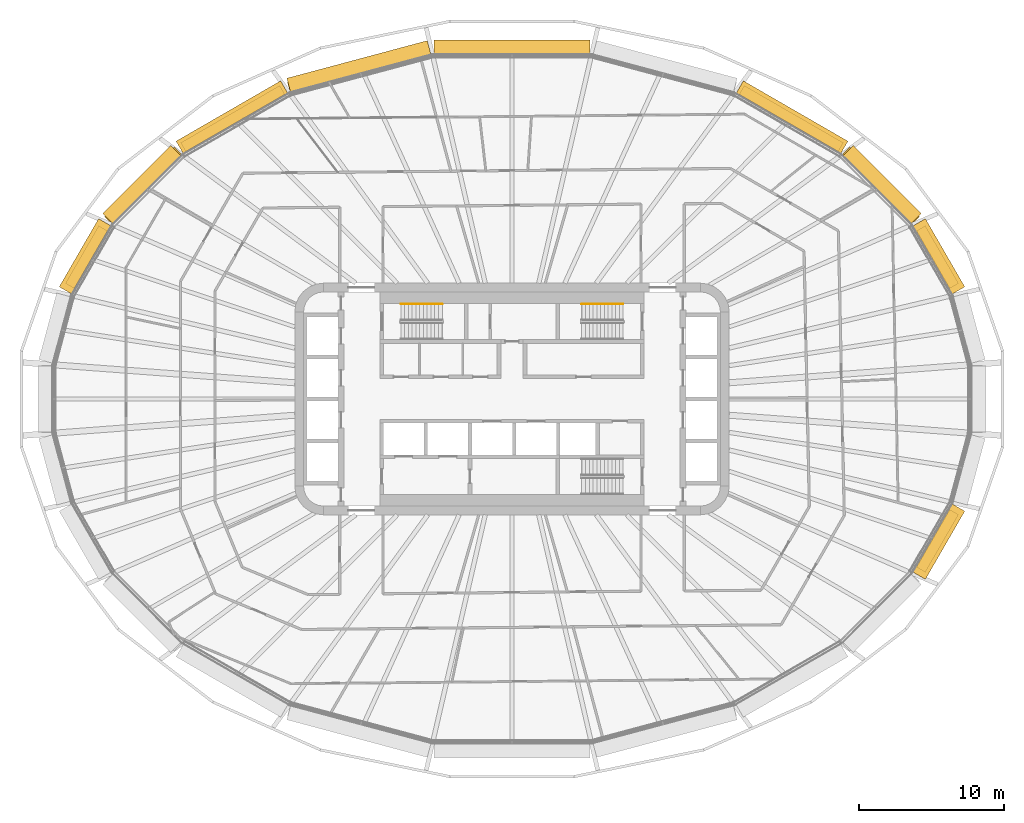
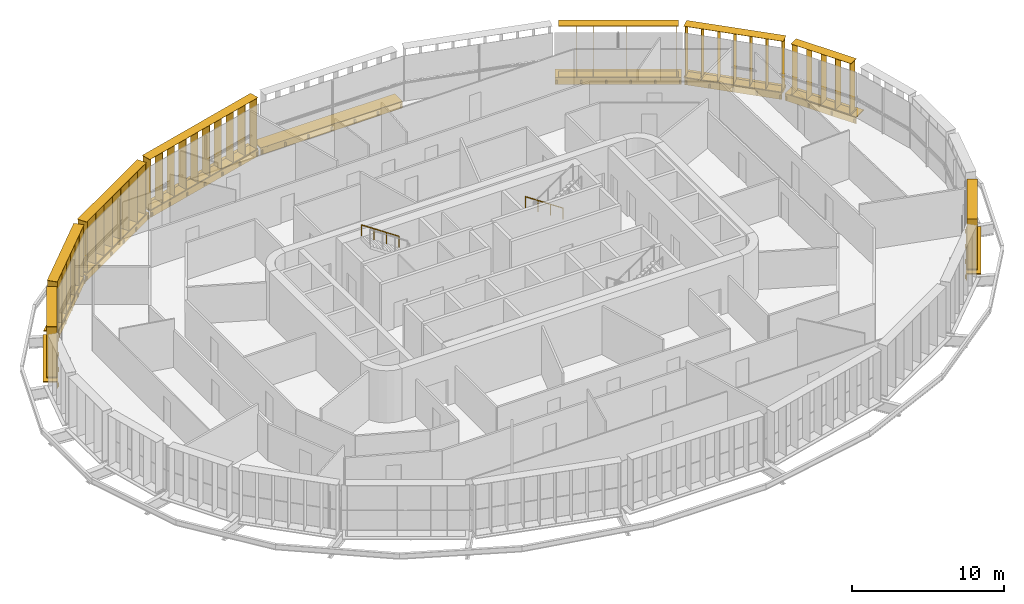
# One storey, part 25 of 26: 17 shading devices, 2 railings.
"""IFC4 building model written with IfcOpenShell, lengths in metres."""

from ifc_helpers import new_model, si_unit, direction, frame, origin, origin_2d, place, context, subcontext, project, spatial, rectangle, circle, extrude, material, type_object, element, save


model = new_model("IFC4")

# Units and contexts
model_context = context("Model", 3, precision=1e-05, world=origin(), true_north=direction((0.0, 1.0)))
body_context = subcontext(model_context, "Body", "Model", "MODEL_VIEW")
ifc_project = project(units=[si_unit("LENGTHUNIT", "METRE"), si_unit("AREAUNIT", "SQUARE_METRE"), si_unit("VOLUMEUNIT", "CUBIC_METRE"), si_unit("PLANEANGLEUNIT", "RADIAN"), si_unit("MASSUNIT", "GRAM", prefix="KILO")], contexts=[model_context])

# Site, building, storey
site_placement = place(None, origin())
site = spatial("IfcSite", under=ifc_project, at=site_placement, CompositionType="ELEMENT")
building_placement = place(site_placement, origin())
building = spatial("IfcBuilding", under=site, at=building_placement, Name="Sahrelin Media Tower", CompositionType="ELEMENT")
storey_placement = place(building_placement, frame((0.0, 0.0, 88.199951171875)))
storey = spatial("IfcBuildingStorey", under=building, at=storey_placement, Name="L16", CompositionType="ELEMENT", Elevation=88.199951171875)

# Shading devices
ifc_material_1 = material(Name="Champagne anodised aluminium 6063-T6", Category="aluminium")
shading_device_type_1 = type_object("IfcShadingDeviceType", Name="Fin cassette", PredefinedType="USERDEFINED", material=ifc_material_1)
placement_1 = place(storey_placement, frame((29.021484375, 9.58837890625, 0.0), z_axis=(0.0, 0.0, 1.0), x_axis=(0.500011000363, -0.866019052629, 0.0)))
element("IfcShadingDevice", 1, at=placement_1, inside=storey, type_object=shading_device_type_1, Name="L16:FIN:L16-02", ObjectType="FIN", PredefinedType="USERDEFINED", context=body_context, shape_type="SweptSolid", body=[
    extrude(rectangle(XDim=4.60009765625, YDim=0.699951171875, at=origin_2d()), frame((0.0, 0.419921875, 0.0)), (0.0, 0.0, 1.0), 0.02001953125),
    extrude(rectangle(XDim=4.60009765625, YDim=0.699951171875, at=origin_2d()), frame((0.0, 0.419921875, 4.10009765625)), (0.0, 0.0, 1.0), 0.02001953125),
    extrude(rectangle(XDim=0.02001953125, YDim=0.699951171875, at=origin_2d()), frame((-2.199951171875, 0.419921875, 0.010009765625), z_axis=(0.0, 0.0, 1.0), x_axis=(1.0, 0.0, 0.0)), (0.0, 0.0, 1.0), 4.10009765625),
    extrude(rectangle(XDim=0.02001953125, YDim=0.699951171875, at=origin_2d()), frame((-1.10009765625, 0.419921875, 0.010009765625), z_axis=(0.0, 0.0, 1.0), x_axis=(1.0, 0.0, 0.0)), (0.0, 0.0, 1.0), 4.10009765625),
    extrude(rectangle(XDim=0.02001953125, YDim=0.699951171875, at=origin_2d()), frame((0.0, 0.419921875, 0.010009765625), z_axis=(0.0, 0.0, 1.0), x_axis=(1.0, 0.0, 0.0)), (0.0, 0.0, 1.0), 4.10009765625),
    extrude(rectangle(XDim=0.02001953125, YDim=0.699951171875, at=origin_2d()), frame((1.10009765625, 0.419921875, 0.010009765625), z_axis=(0.0, 0.0, 1.0), x_axis=(1.0, 0.0, 0.0)), (0.0, 0.0, 1.0), 4.10009765625),
    extrude(rectangle(XDim=0.02001953125, YDim=0.699951171875, at=origin_2d()), frame((2.199951171875, 0.419921875, 0.010009765625), z_axis=(0.0, 0.0, 1.0), x_axis=(1.0, 0.0, 0.0)), (0.0, 0.0, 1.0), 4.10009765625),
])
placement_2 = place(storey_placement, frame((25.192138671875, 14.448486328125, 0.0), z_axis=(0.0, 0.0, 1.0), x_axis=(0.707106781187, -0.707106781187, 0.0)))
element("IfcShadingDevice", 2, at=placement_2, inside=storey, type_object=shading_device_type_1, Name="L16:FIN:L16-03", ObjectType="FIN", PredefinedType="USERDEFINED", context=body_context, shape_type="SweptSolid", body=[
    extrude(rectangle(XDim=6.800048828125, YDim=0.699951171875, at=origin_2d()), frame((0.0, 0.419921875, 0.0)), (0.0, 0.0, 1.0), 0.02001953125),
    extrude(rectangle(XDim=6.800048828125, YDim=0.699951171875, at=origin_2d()), frame((0.0, 0.419921875, 4.10009765625)), (0.0, 0.0, 1.0), 0.02001953125),
    extrude(rectangle(XDim=0.02001953125, YDim=0.699951171875, at=origin_2d()), frame((-3.300048828125, 0.419921875, 0.010009765625), z_axis=(0.0, 0.0, 1.0), x_axis=(1.0, 0.0, 0.0)), (0.0, 0.0, 1.0), 4.10009765625),
    extrude(rectangle(XDim=0.02001953125, YDim=0.699951171875, at=origin_2d()), frame((-2.199951171875, 0.419921875, 0.010009765625), z_axis=(0.0, 0.0, 1.0), x_axis=(1.0, 0.0, 0.0)), (0.0, 0.0, 1.0), 4.10009765625),
    extrude(rectangle(XDim=0.02001953125, YDim=0.699951171875, at=origin_2d()), frame((-1.10009765625, 0.419921875, 0.010009765625), z_axis=(0.0, 0.0, 1.0), x_axis=(1.0, 0.0, 0.0)), (0.0, 0.0, 1.0), 4.10009765625),
    extrude(rectangle(XDim=0.02001953125, YDim=0.699951171875, at=origin_2d()), frame((0.0, 0.419921875, 0.010009765625), z_axis=(0.0, 0.0, 1.0), x_axis=(1.0, 0.0, 0.0)), (0.0, 0.0, 1.0), 4.10009765625),
    extrude(rectangle(XDim=0.02001953125, YDim=0.699951171875, at=origin_2d()), frame((1.10009765625, 0.419921875, 0.010009765625), z_axis=(0.0, 0.0, 1.0), x_axis=(1.0, 0.0, 0.0)), (0.0, 0.0, 1.0), 4.10009765625),
    extrude(rectangle(XDim=0.02001953125, YDim=0.699951171875, at=origin_2d()), frame((2.199951171875, 0.419921875, 0.010009765625), z_axis=(0.0, 0.0, 1.0), x_axis=(1.0, 0.0, 0.0)), (0.0, 0.0, 1.0), 4.10009765625),
    extrude(rectangle(XDim=0.02001953125, YDim=0.699951171875, at=origin_2d()), frame((3.300048828125, 0.419921875, 0.010009765625), z_axis=(0.0, 0.0, 1.0), x_axis=(1.0, 0.0, 0.0)), (0.0, 0.0, 1.0), 4.10009765625),
])
placement_3 = place(storey_placement, frame((19.074951171875, 19.003662109375, 0.0), z_axis=(0.0, 0.0, 1.0), x_axis=(0.866019052629, -0.500011000363, 0.0)))
element("IfcShadingDevice", 3, at=placement_3, inside=storey, type_object=shading_device_type_1, Name="L16:FIN:L16-04", ObjectType="FIN", PredefinedType="USERDEFINED", context=body_context, shape_type="SweptSolid", body=[
    extrude(rectangle(XDim=7.89990234375, YDim=0.699951171875, at=origin_2d()), frame((0.0, 0.419921875, 0.0)), (0.0, 0.0, 1.0), 0.02001953125),
    extrude(rectangle(XDim=7.89990234375, YDim=0.699951171875, at=origin_2d()), frame((0.0, 0.419921875, 4.10009765625)), (0.0, 0.0, 1.0), 0.02001953125),
    extrude(rectangle(XDim=0.02001953125, YDim=0.699951171875, at=origin_2d()), frame((-3.85009765625, 0.419921875, 0.010009765625), z_axis=(0.0, 0.0, 1.0), x_axis=(1.0, 0.0, 0.0)), (0.0, 0.0, 1.0), 4.10009765625),
    extrude(rectangle(XDim=0.02001953125, YDim=0.699951171875, at=origin_2d()), frame((-2.75, 0.419921875, 0.010009765625), z_axis=(0.0, 0.0, 1.0), x_axis=(1.0, 0.0, 0.0)), (0.0, 0.0, 1.0), 4.10009765625),
    extrude(rectangle(XDim=0.02001953125, YDim=0.699951171875, at=origin_2d()), frame((-1.64990234375, 0.419921875, 0.010009765625), z_axis=(0.0, 0.0, 1.0), x_axis=(1.0, 0.0, 0.0)), (0.0, 0.0, 1.0), 4.10009765625),
    extrude(rectangle(XDim=0.02001953125, YDim=0.699951171875, at=origin_2d()), frame((-0.550048828125, 0.419921875, 0.010009765625), z_axis=(0.0, 0.0, 1.0), x_axis=(1.0, 0.0, 0.0)), (0.0, 0.0, 1.0), 4.10009765625),
    extrude(rectangle(XDim=0.02001953125, YDim=0.699951171875, at=origin_2d()), frame((0.550048828125, 0.419921875, 0.010009765625), z_axis=(0.0, 0.0, 1.0), x_axis=(1.0, 0.0, 0.0)), (0.0, 0.0, 1.0), 4.10009765625),
    extrude(rectangle(XDim=0.02001953125, YDim=0.699951171875, at=origin_2d()), frame((1.64990234375, 0.419921875, 0.010009765625), z_axis=(0.0, 0.0, 1.0), x_axis=(1.0, 0.0, 0.0)), (0.0, 0.0, 1.0), 4.10009765625),
    extrude(rectangle(XDim=0.02001953125, YDim=0.699951171875, at=origin_2d()), frame((2.75, 0.419921875, 0.010009765625), z_axis=(0.0, 0.0, 1.0), x_axis=(1.0, 0.0, 0.0)), (0.0, 0.0, 1.0), 4.10009765625),
    extrude(rectangle(XDim=0.02001953125, YDim=0.699951171875, at=origin_2d()), frame((3.85009765625, 0.419921875, 0.010009765625), z_axis=(0.0, 0.0, 1.0), x_axis=(1.0, 0.0, 0.0)), (0.0, 0.0, 1.0), 4.10009765625),
])
placement_4 = place(storey_placement, frame((-10.436279296875, 22.462158203125, 0.0), z_axis=(0.0, 0.0, 1.0), x_axis=(0.965928857556, 0.258807731996, 0.0)))
element("IfcShadingDevice", 4, at=placement_4, inside=storey, type_object=shading_device_type_1, Name="L16:FIN:L16-07", ObjectType="FIN", PredefinedType="USERDEFINED", context=body_context, shape_type="SweptSolid", body=[
    extrude(rectangle(XDim=10.10009765625, YDim=0.699951171875, at=origin_2d()), frame((0.0, 0.419921875, 0.0)), (0.0, 0.0, 1.0), 0.02001953125),
    extrude(rectangle(XDim=10.10009765625, YDim=0.699951171875, at=origin_2d()), frame((0.0, 0.419921875, 4.10009765625)), (0.0, 0.0, 1.0), 0.02001953125),
    extrude(rectangle(XDim=0.02001953125, YDim=0.699951171875, at=origin_2d()), frame((-4.949951171875, 0.419921875, 0.010009765625), z_axis=(0.0, 0.0, 1.0), x_axis=(1.0, 0.0, 0.0)), (0.0, 0.0, 1.0), 4.10009765625),
    extrude(rectangle(XDim=0.02001953125, YDim=0.699951171875, at=origin_2d()), frame((-3.85009765625, 0.419921875, 0.010009765625), z_axis=(0.0, 0.0, 1.0), x_axis=(1.0, 0.0, 0.0)), (0.0, 0.0, 1.0), 4.10009765625),
    extrude(rectangle(XDim=0.02001953125, YDim=0.699951171875, at=origin_2d()), frame((-2.75, 0.419921875, 0.010009765625), z_axis=(0.0, 0.0, 1.0), x_axis=(1.0, 0.0, 0.0)), (0.0, 0.0, 1.0), 4.10009765625),
    extrude(rectangle(XDim=0.02001953125, YDim=0.699951171875, at=origin_2d()), frame((-1.64990234375, 0.419921875, 0.010009765625), z_axis=(0.0, 0.0, 1.0), x_axis=(1.0, 0.0, 0.0)), (0.0, 0.0, 1.0), 4.10009765625),
    extrude(rectangle(XDim=0.02001953125, YDim=0.699951171875, at=origin_2d()), frame((-0.550048828125, 0.419921875, 0.010009765625), z_axis=(0.0, 0.0, 1.0), x_axis=(1.0, 0.0, 0.0)), (0.0, 0.0, 1.0), 4.10009765625),
    extrude(rectangle(XDim=0.02001953125, YDim=0.699951171875, at=origin_2d()), frame((0.550048828125, 0.419921875, 0.010009765625), z_axis=(0.0, 0.0, 1.0), x_axis=(1.0, 0.0, 0.0)), (0.0, 0.0, 1.0), 4.10009765625),
    extrude(rectangle(XDim=0.02001953125, YDim=0.699951171875, at=origin_2d()), frame((1.64990234375, 0.419921875, 0.010009765625), z_axis=(0.0, 0.0, 1.0), x_axis=(1.0, 0.0, 0.0)), (0.0, 0.0, 1.0), 4.10009765625),
    extrude(rectangle(XDim=0.02001953125, YDim=0.699951171875, at=origin_2d()), frame((2.75, 0.419921875, 0.010009765625), z_axis=(0.0, 0.0, 1.0), x_axis=(1.0, 0.0, 0.0)), (0.0, 0.0, 1.0), 4.10009765625),
    extrude(rectangle(XDim=0.02001953125, YDim=0.699951171875, at=origin_2d()), frame((3.85009765625, 0.419921875, 0.010009765625), z_axis=(0.0, 0.0, 1.0), x_axis=(1.0, 0.0, 0.0)), (0.0, 0.0, 1.0), 4.10009765625),
    extrude(rectangle(XDim=0.02001953125, YDim=0.699951171875, at=origin_2d()), frame((4.949951171875, 0.419921875, 0.010009765625), z_axis=(0.0, 0.0, 1.0), x_axis=(1.0, 0.0, 0.0)), (0.0, 0.0, 1.0), 4.10009765625),
])
placement_5 = place(storey_placement, frame((-19.074951171875, 19.003662109375, 0.0), z_axis=(0.0, 0.0, 1.0), x_axis=(0.866019052629, 0.500011000363, 0.0)))
element("IfcShadingDevice", 5, at=placement_5, inside=storey, type_object=shading_device_type_1, Name="L16:FIN:L16-08", ObjectType="FIN", PredefinedType="USERDEFINED", context=body_context, shape_type="SweptSolid", body=[
    extrude(rectangle(XDim=7.89990234375, YDim=0.699951171875, at=origin_2d()), frame((0.0, 0.419921875, 0.0)), (0.0, 0.0, 1.0), 0.02001953125),
    extrude(rectangle(XDim=7.89990234375, YDim=0.699951171875, at=origin_2d()), frame((0.0, 0.419921875, 4.10009765625)), (0.0, 0.0, 1.0), 0.02001953125),
    extrude(rectangle(XDim=0.02001953125, YDim=0.699951171875, at=origin_2d()), frame((-3.85009765625, 0.419921875, 0.010009765625), z_axis=(0.0, 0.0, 1.0), x_axis=(1.0, 0.0, 0.0)), (0.0, 0.0, 1.0), 4.10009765625),
    extrude(rectangle(XDim=0.02001953125, YDim=0.699951171875, at=origin_2d()), frame((-2.75, 0.419921875, 0.010009765625), z_axis=(0.0, 0.0, 1.0), x_axis=(1.0, 0.0, 0.0)), (0.0, 0.0, 1.0), 4.10009765625),
    extrude(rectangle(XDim=0.02001953125, YDim=0.699951171875, at=origin_2d()), frame((-1.64990234375, 0.419921875, 0.010009765625), z_axis=(0.0, 0.0, 1.0), x_axis=(1.0, 0.0, 0.0)), (0.0, 0.0, 1.0), 4.10009765625),
    extrude(rectangle(XDim=0.02001953125, YDim=0.699951171875, at=origin_2d()), frame((-0.550048828125, 0.419921875, 0.010009765625), z_axis=(0.0, 0.0, 1.0), x_axis=(1.0, 0.0, 0.0)), (0.0, 0.0, 1.0), 4.10009765625),
    extrude(rectangle(XDim=0.02001953125, YDim=0.699951171875, at=origin_2d()), frame((0.550048828125, 0.419921875, 0.010009765625), z_axis=(0.0, 0.0, 1.0), x_axis=(1.0, 0.0, 0.0)), (0.0, 0.0, 1.0), 4.10009765625),
    extrude(rectangle(XDim=0.02001953125, YDim=0.699951171875, at=origin_2d()), frame((1.64990234375, 0.419921875, 0.010009765625), z_axis=(0.0, 0.0, 1.0), x_axis=(1.0, 0.0, 0.0)), (0.0, 0.0, 1.0), 4.10009765625),
    extrude(rectangle(XDim=0.02001953125, YDim=0.699951171875, at=origin_2d()), frame((2.75, 0.419921875, 0.010009765625), z_axis=(0.0, 0.0, 1.0), x_axis=(1.0, 0.0, 0.0)), (0.0, 0.0, 1.0), 4.10009765625),
    extrude(rectangle(XDim=0.02001953125, YDim=0.699951171875, at=origin_2d()), frame((3.85009765625, 0.419921875, 0.010009765625), z_axis=(0.0, 0.0, 1.0), x_axis=(1.0, 0.0, 0.0)), (0.0, 0.0, 1.0), 4.10009765625),
])
placement_6 = place(storey_placement, frame((-25.192138671875, 14.44873046875, 0.0), z_axis=(0.0, 0.0, 1.0), x_axis=(0.707106781187, 0.707106781187, 0.0)))
element("IfcShadingDevice", 6, at=placement_6, inside=storey, type_object=shading_device_type_1, Name="L16:FIN:L16-09", ObjectType="FIN", PredefinedType="USERDEFINED", context=body_context, shape_type="SweptSolid", body=[
    extrude(rectangle(XDim=6.800048828125, YDim=0.699951171875, at=origin_2d()), frame((0.0, 0.419921875, 0.0)), (0.0, 0.0, 1.0), 0.02001953125),
    extrude(rectangle(XDim=6.800048828125, YDim=0.699951171875, at=origin_2d()), frame((0.0, 0.419921875, 4.10009765625)), (0.0, 0.0, 1.0), 0.02001953125),
    extrude(rectangle(XDim=0.02001953125, YDim=0.699951171875, at=origin_2d()), frame((-3.300048828125, 0.419921875, 0.010009765625), z_axis=(0.0, 0.0, 1.0), x_axis=(1.0, 0.0, 0.0)), (0.0, 0.0, 1.0), 4.10009765625),
    extrude(rectangle(XDim=0.02001953125, YDim=0.699951171875, at=origin_2d()), frame((-2.199951171875, 0.419921875, 0.010009765625), z_axis=(0.0, 0.0, 1.0), x_axis=(1.0, 0.0, 0.0)), (0.0, 0.0, 1.0), 4.10009765625),
    extrude(rectangle(XDim=0.02001953125, YDim=0.699951171875, at=origin_2d()), frame((-1.10009765625, 0.419921875, 0.010009765625), z_axis=(0.0, 0.0, 1.0), x_axis=(1.0, 0.0, 0.0)), (0.0, 0.0, 1.0), 4.10009765625),
    extrude(rectangle(XDim=0.02001953125, YDim=0.699951171875, at=origin_2d()), frame((0.0, 0.419921875, 0.010009765625), z_axis=(0.0, 0.0, 1.0), x_axis=(1.0, 0.0, 0.0)), (0.0, 0.0, 1.0), 4.10009765625),
    extrude(rectangle(XDim=0.02001953125, YDim=0.699951171875, at=origin_2d()), frame((1.10009765625, 0.419921875, 0.010009765625), z_axis=(0.0, 0.0, 1.0), x_axis=(1.0, 0.0, 0.0)), (0.0, 0.0, 1.0), 4.10009765625),
    extrude(rectangle(XDim=0.02001953125, YDim=0.699951171875, at=origin_2d()), frame((2.199951171875, 0.419921875, 0.010009765625), z_axis=(0.0, 0.0, 1.0), x_axis=(1.0, 0.0, 0.0)), (0.0, 0.0, 1.0), 4.10009765625),
    extrude(rectangle(XDim=0.02001953125, YDim=0.699951171875, at=origin_2d()), frame((3.300048828125, 0.419921875, 0.010009765625), z_axis=(0.0, 0.0, 1.0), x_axis=(1.0, 0.0, 0.0)), (0.0, 0.0, 1.0), 4.10009765625),
])
placement_7 = place(storey_placement, frame((-29.021484375, 9.58837890625, 0.0), z_axis=(0.0, 0.0, 1.0), x_axis=(0.500011000363, 0.866019052629, 0.0)))
element("IfcShadingDevice", 7, at=placement_7, inside=storey, type_object=shading_device_type_1, Name="L16:FIN:L16-10", ObjectType="FIN", PredefinedType="USERDEFINED", context=body_context, shape_type="SweptSolid", body=[
    extrude(rectangle(XDim=4.60009765625, YDim=0.699951171875, at=origin_2d()), frame((0.0, 0.419921875, 0.0)), (0.0, 0.0, 1.0), 0.02001953125),
    extrude(rectangle(XDim=4.60009765625, YDim=0.699951171875, at=origin_2d()), frame((0.0, 0.419921875, 4.10009765625)), (0.0, 0.0, 1.0), 0.02001953125),
    extrude(rectangle(XDim=0.02001953125, YDim=0.699951171875, at=origin_2d()), frame((-2.199951171875, 0.419921875, 0.010009765625), z_axis=(0.0, 0.0, 1.0), x_axis=(1.0, 0.0, 0.0)), (0.0, 0.0, 1.0), 4.10009765625),
    extrude(rectangle(XDim=0.02001953125, YDim=0.699951171875, at=origin_2d()), frame((-1.10009765625, 0.419921875, 0.010009765625), z_axis=(0.0, 0.0, 1.0), x_axis=(1.0, 0.0, 0.0)), (0.0, 0.0, 1.0), 4.10009765625),
    extrude(rectangle(XDim=0.02001953125, YDim=0.699951171875, at=origin_2d()), frame((0.0, 0.419921875, 0.010009765625), z_axis=(0.0, 0.0, 1.0), x_axis=(1.0, 0.0, 0.0)), (0.0, 0.0, 1.0), 4.10009765625),
    extrude(rectangle(XDim=0.02001953125, YDim=0.699951171875, at=origin_2d()), frame((1.10009765625, 0.419921875, 0.010009765625), z_axis=(0.0, 0.0, 1.0), x_axis=(1.0, 0.0, 0.0)), (0.0, 0.0, 1.0), 4.10009765625),
    extrude(rectangle(XDim=0.02001953125, YDim=0.699951171875, at=origin_2d()), frame((2.199951171875, 0.419921875, 0.010009765625), z_axis=(0.0, 0.0, 1.0), x_axis=(1.0, 0.0, 0.0)), (0.0, 0.0, 1.0), 4.10009765625),
])
placement_8 = place(storey_placement, frame((29.021484375, -9.58837890625, 0.0), z_axis=(0.0, 0.0, 1.0), x_axis=(-0.500011000363, -0.866019052629, 0.0)))
element("IfcShadingDevice", 8, at=placement_8, inside=storey, type_object=shading_device_type_1, Name="L16:FIN:L16-22", ObjectType="FIN", PredefinedType="USERDEFINED", context=body_context, shape_type="SweptSolid", body=[
    extrude(rectangle(XDim=4.60009765625, YDim=0.699951171875, at=origin_2d()), frame((0.0, 0.419921875, 0.0)), (0.0, 0.0, 1.0), 0.02001953125),
    extrude(rectangle(XDim=4.60009765625, YDim=0.699951171875, at=origin_2d()), frame((0.0, 0.419921875, 4.10009765625)), (0.0, 0.0, 1.0), 0.02001953125),
    extrude(rectangle(XDim=0.02001953125, YDim=0.699951171875, at=origin_2d()), frame((-2.199951171875, 0.419921875, 0.010009765625), z_axis=(0.0, 0.0, 1.0), x_axis=(1.0, 0.0, 0.0)), (0.0, 0.0, 1.0), 4.10009765625),
    extrude(rectangle(XDim=0.02001953125, YDim=0.699951171875, at=origin_2d()), frame((-1.10009765625, 0.419921875, 0.010009765625), z_axis=(0.0, 0.0, 1.0), x_axis=(1.0, 0.0, 0.0)), (0.0, 0.0, 1.0), 4.10009765625),
    extrude(rectangle(XDim=0.02001953125, YDim=0.699951171875, at=origin_2d()), frame((0.0, 0.419921875, 0.010009765625), z_axis=(0.0, 0.0, 1.0), x_axis=(1.0, 0.0, 0.0)), (0.0, 0.0, 1.0), 4.10009765625),
    extrude(rectangle(XDim=0.02001953125, YDim=0.699951171875, at=origin_2d()), frame((1.10009765625, 0.419921875, 0.010009765625), z_axis=(0.0, 0.0, 1.0), x_axis=(1.0, 0.0, 0.0)), (0.0, 0.0, 1.0), 4.10009765625),
    extrude(rectangle(XDim=0.02001953125, YDim=0.699951171875, at=origin_2d()), frame((2.199951171875, 0.419921875, 0.010009765625), z_axis=(0.0, 0.0, 1.0), x_axis=(1.0, 0.0, 0.0)), (0.0, 0.0, 1.0), 4.10009765625),
])

# Railings
ifc_material_2 = material(Name="Steel S355", Category="steel")
railing_type = type_object("IfcRailingType", Name="Stair handrail 900", PredefinedType="HANDRAIL", material=ifc_material_2)
railing_1_placement = place(storey_placement, frame((-4.81494140625, 6.550048828125, 2.275146484375)))
element("IfcRailing", 9, at=railing_1_placement, inside=storey, type_object=railing_type, Name="L16 ST1 stair handrail 2", PredefinedType="HANDRAIL", context=body_context, shape_type="SweptSolid", body=[
    extrude(circle(Radius=0.02392578125, at=origin_2d()), frame((0.0, 0.0, 0.8759765625), z_axis=(-0.829623704247, 0.0, 0.558322943601), x_axis=(0.0, -1.0, 0.0)), (0.0, 0.0, 1.0), 3.447509765625),
    extrude(circle(Radius=0.02099609375, at=origin_2d()), origin(), (0.0, 0.0, 1.0), 0.851806640625),
    extrude(circle(Radius=0.02099609375, at=origin_2d()), frame((-0.953369140625, 0.0, 0.6416015625)), (0.0, 0.0, 1.0), 0.851806640625),
    extrude(circle(Radius=0.02099609375, at=origin_2d()), frame((-1.90673828125, 0.0, 1.283203125)), (0.0, 0.0, 1.0), 0.851806640625),
    extrude(circle(Radius=0.02099609375, at=origin_2d()), frame((-2.860107421875, 0.0, 1.9248046875)), (0.0, 0.0, 1.0), 0.851806640625),
])
railing_2_placement = place(storey_placement, frame((7.675048828125, 6.550048828125, 0.175048828125)))
element("IfcRailing", 10, at=railing_2_placement, inside=storey, type_object=railing_type, Name="L16 ST3 stair handrail 1", PredefinedType="HANDRAIL", context=body_context, shape_type="SweptSolid", body=[
    extrude(circle(Radius=0.02392578125, at=origin_2d()), frame((0.0, 0.0, 0.8759765625), z_axis=(-0.829590901723, 0.0, 0.558371682465), x_axis=(0.0, -1.0, 0.0)), (0.0, 0.0, 1.0), 3.447509765625),
    extrude(circle(Radius=0.02099609375, at=origin_2d()), origin(), (0.0, 0.0, 1.0), 0.851806640625),
    extrude(circle(Radius=0.02099609375, at=origin_2d()), frame((-0.953369140625, 0.0, 0.6416015625)), (0.0, 0.0, 1.0), 0.851806640625),
    extrude(circle(Radius=0.02099609375, at=origin_2d()), frame((-1.90673828125, 0.0, 1.283447265625)), (0.0, 0.0, 1.0), 0.851806640625),
    extrude(circle(Radius=0.02099609375, at=origin_2d()), frame((-2.860107421875, 0.0, 1.925048828125)), (0.0, 0.0, 1.0), 0.851806640625),
])

# Shading devices
shading_device_type_2 = type_object("IfcShadingDeviceType", Name="Sunshade band", PredefinedType="USERDEFINED", material=ifc_material_1)
element("IfcShadingDevice", 11, at=placement_1, inside=storey, type_object=shading_device_type_2, Name="L16:SUN:L16-02", ObjectType="SUNSHADE", PredefinedType="USERDEFINED", context=body_context, shape_type="SweptSolid", body=[
    extrude(rectangle(XDim=5.43408203125, YDim=0.050048828125, at=origin_2d()), frame((0.0, 0.044921875, -0.55126953125)), (0.0, 0.0, 1.0), 0.471435546875),
    extrude(rectangle(XDim=5.43408203125, YDim=1.0, at=origin_2d()), frame((0.0, 0.52001953125, -0.080078125)), (0.0, 0.0, 1.0), 0.080078125),
    extrude(rectangle(XDim=0.10009765625, YDim=0.074951171875, at=origin_2d()), frame((-2.616943359375, -0.017578125, -0.47021484375)), (0.0, 0.0, 1.0), 0.300048828125),
    extrude(rectangle(XDim=0.10009765625, YDim=0.074951171875, at=origin_2d()), frame((-0.872314453125, -0.017578125, -0.47021484375)), (0.0, 0.0, 1.0), 0.300048828125),
    extrude(rectangle(XDim=0.10009765625, YDim=0.074951171875, at=origin_2d()), frame((0.872314453125, -0.017578125, -0.47021484375)), (0.0, 0.0, 1.0), 0.300048828125),
    extrude(rectangle(XDim=0.10009765625, YDim=0.074951171875, at=origin_2d()), frame((2.616943359375, -0.017578125, -0.47021484375)), (0.0, 0.0, 1.0), 0.300048828125),
])
element("IfcShadingDevice", 12, at=placement_2, inside=storey, type_object=shading_device_type_2, Name="L16:SUN:L16-03", ObjectType="SUNSHADE", PredefinedType="USERDEFINED", context=body_context, shape_type="SweptSolid", body=[
    extrude(rectangle(XDim=6.64697265625, YDim=0.050048828125, at=origin_2d()), frame((0.0, 0.044921875, -0.55126953125)), (0.0, 0.0, 1.0), 0.471435546875),
    extrude(rectangle(XDim=6.64697265625, YDim=1.0, at=origin_2d()), frame((0.0, 0.52001953125, -0.080078125)), (0.0, 0.0, 1.0), 0.080078125),
    extrude(rectangle(XDim=0.10009765625, YDim=0.074951171875, at=origin_2d()), frame((-3.223388671875, -0.017578125, -0.47021484375)), (0.0, 0.0, 1.0), 0.300048828125),
    extrude(rectangle(XDim=0.10009765625, YDim=0.074951171875, at=origin_2d()), frame((-1.61181640625, -0.017578125, -0.47021484375)), (0.0, 0.0, 1.0), 0.300048828125),
    extrude(rectangle(XDim=0.10009765625, YDim=0.074951171875, at=origin_2d()), frame((0.0, -0.017578125, -0.47021484375)), (0.0, 0.0, 1.0), 0.300048828125),
    extrude(rectangle(XDim=0.10009765625, YDim=0.074951171875, at=origin_2d()), frame((1.61181640625, -0.017578125, -0.47021484375)), (0.0, 0.0, 1.0), 0.300048828125),
    extrude(rectangle(XDim=0.10009765625, YDim=0.074951171875, at=origin_2d()), frame((3.223388671875, -0.017578125, -0.47021484375)), (0.0, 0.0, 1.0), 0.300048828125),
])
element("IfcShadingDevice", 13, at=placement_3, inside=storey, type_object=shading_device_type_2, Name="L16:SUN:L16-04", ObjectType="SUNSHADE", PredefinedType="USERDEFINED", context=body_context, shape_type="SweptSolid", body=[
    extrude(rectangle(XDim=8.336669921875, YDim=0.050048828125, at=origin_2d()), frame((0.0, 0.044921875, -0.55126953125)), (0.0, 0.0, 1.0), 0.471435546875),
    extrude(rectangle(XDim=8.336669921875, YDim=1.0, at=origin_2d()), frame((0.0, 0.52001953125, -0.080078125)), (0.0, 0.0, 1.0), 0.080078125),
    extrude(rectangle(XDim=0.10009765625, YDim=0.074951171875, at=origin_2d()), frame((-4.068359375, -0.017578125, -0.47021484375)), (0.0, 0.0, 1.0), 0.300048828125),
    extrude(rectangle(XDim=0.10009765625, YDim=0.074951171875, at=origin_2d()), frame((-2.44091796875, -0.017578125, -0.47021484375)), (0.0, 0.0, 1.0), 0.300048828125),
    extrude(rectangle(XDim=0.10009765625, YDim=0.074951171875, at=origin_2d()), frame((-0.813720703125, -0.017578125, -0.47021484375)), (0.0, 0.0, 1.0), 0.300048828125),
    extrude(rectangle(XDim=0.10009765625, YDim=0.074951171875, at=origin_2d()), frame((0.813720703125, -0.017578125, -0.47021484375)), (0.0, 0.0, 1.0), 0.300048828125),
    extrude(rectangle(XDim=0.10009765625, YDim=0.074951171875, at=origin_2d()), frame((2.44091796875, -0.017578125, -0.47021484375)), (0.0, 0.0, 1.0), 0.300048828125),
    extrude(rectangle(XDim=0.10009765625, YDim=0.074951171875, at=origin_2d()), frame((4.068359375, -0.017578125, -0.47021484375)), (0.0, 0.0, 1.0), 0.300048828125),
])
shading_device_12_placement = place(storey_placement, frame((0.0, 23.786376953125, 0.0), z_axis=(0.0, 0.0, 1.0), x_axis=(1.0, 0.0, 0.0)))
element("IfcShadingDevice", 14, at=shading_device_12_placement, inside=storey, type_object=shading_device_type_2, Name="L16:SUN:L16-06", ObjectType="SUNSHADE", PredefinedType="USERDEFINED", context=body_context, shape_type="SweptSolid", body=[
    extrude(rectangle(XDim=10.7880859375, YDim=0.050048828125, at=origin_2d()), frame((0.0, 0.044921875, -0.55126953125)), (0.0, 0.0, 1.0), 0.471435546875),
    extrude(rectangle(XDim=10.7880859375, YDim=1.0, at=origin_2d()), frame((0.0, 0.52001953125, -0.080078125)), (0.0, 0.0, 1.0), 0.080078125),
    extrude(rectangle(XDim=0.10009765625, YDim=0.074951171875, at=origin_2d()), frame((-5.2939453125, -0.017578125, -0.47021484375)), (0.0, 0.0, 1.0), 0.300048828125),
    extrude(rectangle(XDim=0.10009765625, YDim=0.074951171875, at=origin_2d()), frame((-3.529296875, -0.017578125, -0.47021484375)), (0.0, 0.0, 1.0), 0.300048828125),
    extrude(rectangle(XDim=0.10009765625, YDim=0.074951171875, at=origin_2d()), frame((-1.7646484375, -0.017578125, -0.47021484375)), (0.0, 0.0, 1.0), 0.300048828125),
    extrude(rectangle(XDim=0.10009765625, YDim=0.074951171875, at=origin_2d()), frame((0.0, -0.017578125, -0.47021484375)), (0.0, 0.0, 1.0), 0.300048828125),
    extrude(rectangle(XDim=0.10009765625, YDim=0.074951171875, at=origin_2d()), frame((1.7646484375, -0.017578125, -0.47021484375)), (0.0, 0.0, 1.0), 0.300048828125),
    extrude(rectangle(XDim=0.10009765625, YDim=0.074951171875, at=origin_2d()), frame((3.529296875, -0.017578125, -0.47021484375)), (0.0, 0.0, 1.0), 0.300048828125),
    extrude(rectangle(XDim=0.10009765625, YDim=0.074951171875, at=origin_2d()), frame((5.2939453125, -0.017578125, -0.47021484375)), (0.0, 0.0, 1.0), 0.300048828125),
])
element("IfcShadingDevice", 15, at=placement_4, inside=storey, type_object=shading_device_type_2, Name="L16:SUN:L16-07", ObjectType="SUNSHADE", PredefinedType="USERDEFINED", context=body_context, shape_type="SweptSolid", body=[
    extrude(rectangle(XDim=10.033203125, YDim=0.050048828125, at=origin_2d()), frame((0.0, 0.044921875, -0.55126953125)), (0.0, 0.0, 1.0), 0.471435546875),
    extrude(rectangle(XDim=10.033203125, YDim=1.0, at=origin_2d()), frame((0.0, 0.52001953125, -0.080078125)), (0.0, 0.0, 1.0), 0.080078125),
    extrude(rectangle(XDim=0.10009765625, YDim=0.074951171875, at=origin_2d()), frame((-4.91650390625, -0.017578125, -0.47021484375)), (0.0, 0.0, 1.0), 0.300048828125),
    extrude(rectangle(XDim=0.10009765625, YDim=0.074951171875, at=origin_2d()), frame((-3.277587890625, -0.017578125, -0.47021484375)), (0.0, 0.0, 1.0), 0.300048828125),
    extrude(rectangle(XDim=0.10009765625, YDim=0.074951171875, at=origin_2d()), frame((-1.638916015625, -0.017578125, -0.47021484375)), (0.0, 0.0, 1.0), 0.300048828125),
    extrude(rectangle(XDim=0.10009765625, YDim=0.074951171875, at=origin_2d()), frame((0.0, -0.017578125, -0.47021484375)), (0.0, 0.0, 1.0), 0.300048828125),
    extrude(rectangle(XDim=0.10009765625, YDim=0.074951171875, at=origin_2d()), frame((1.638916015625, -0.017578125, -0.47021484375)), (0.0, 0.0, 1.0), 0.300048828125),
    extrude(rectangle(XDim=0.10009765625, YDim=0.074951171875, at=origin_2d()), frame((3.277587890625, -0.017578125, -0.47021484375)), (0.0, 0.0, 1.0), 0.300048828125),
    extrude(rectangle(XDim=0.10009765625, YDim=0.074951171875, at=origin_2d()), frame((4.91650390625, -0.017578125, -0.47021484375)), (0.0, 0.0, 1.0), 0.300048828125),
])
element("IfcShadingDevice", 16, at=placement_5, inside=storey, type_object=shading_device_type_2, Name="L16:SUN:L16-08", ObjectType="SUNSHADE", PredefinedType="USERDEFINED", context=body_context, shape_type="SweptSolid", body=[
    extrude(rectangle(XDim=8.336669921875, YDim=0.050048828125, at=origin_2d()), frame((0.0, 0.044921875, -0.55126953125)), (0.0, 0.0, 1.0), 0.471435546875),
    extrude(rectangle(XDim=8.336669921875, YDim=1.0, at=origin_2d()), frame((0.0, 0.52001953125, -0.080078125)), (0.0, 0.0, 1.0), 0.080078125),
    extrude(rectangle(XDim=0.10009765625, YDim=0.074951171875, at=origin_2d()), frame((-4.068359375, -0.017578125, -0.47021484375)), (0.0, 0.0, 1.0), 0.300048828125),
    extrude(rectangle(XDim=0.10009765625, YDim=0.074951171875, at=origin_2d()), frame((-2.44091796875, -0.017578125, -0.47021484375)), (0.0, 0.0, 1.0), 0.300048828125),
    extrude(rectangle(XDim=0.10009765625, YDim=0.074951171875, at=origin_2d()), frame((-0.813720703125, -0.017578125, -0.47021484375)), (0.0, 0.0, 1.0), 0.300048828125),
    extrude(rectangle(XDim=0.10009765625, YDim=0.074951171875, at=origin_2d()), frame((0.813720703125, -0.017578125, -0.47021484375)), (0.0, 0.0, 1.0), 0.300048828125),
    extrude(rectangle(XDim=0.10009765625, YDim=0.074951171875, at=origin_2d()), frame((2.44091796875, -0.017578125, -0.47021484375)), (0.0, 0.0, 1.0), 0.300048828125),
    extrude(rectangle(XDim=0.10009765625, YDim=0.074951171875, at=origin_2d()), frame((4.068359375, -0.017578125, -0.47021484375)), (0.0, 0.0, 1.0), 0.300048828125),
])
element("IfcShadingDevice", 17, at=placement_6, inside=storey, type_object=shading_device_type_2, Name="L16:SUN:L16-09", ObjectType="SUNSHADE", PredefinedType="USERDEFINED", context=body_context, shape_type="SweptSolid", body=[
    extrude(rectangle(XDim=6.64697265625, YDim=0.050048828125, at=origin_2d()), frame((0.0, 0.044921875, -0.55126953125)), (0.0, 0.0, 1.0), 0.471435546875),
    extrude(rectangle(XDim=6.64697265625, YDim=1.0, at=origin_2d()), frame((0.0, 0.52001953125, -0.080078125)), (0.0, 0.0, 1.0), 0.080078125),
    extrude(rectangle(XDim=0.10009765625, YDim=0.074951171875, at=origin_2d()), frame((-3.223388671875, -0.017578125, -0.47021484375)), (0.0, 0.0, 1.0), 0.300048828125),
    extrude(rectangle(XDim=0.10009765625, YDim=0.074951171875, at=origin_2d()), frame((-1.61181640625, -0.017578125, -0.47021484375)), (0.0, 0.0, 1.0), 0.300048828125),
    extrude(rectangle(XDim=0.10009765625, YDim=0.074951171875, at=origin_2d()), frame((0.0, -0.017578125, -0.47021484375)), (0.0, 0.0, 1.0), 0.300048828125),
    extrude(rectangle(XDim=0.10009765625, YDim=0.074951171875, at=origin_2d()), frame((1.61181640625, -0.017578125, -0.47021484375)), (0.0, 0.0, 1.0), 0.300048828125),
    extrude(rectangle(XDim=0.10009765625, YDim=0.074951171875, at=origin_2d()), frame((3.223388671875, -0.017578125, -0.47021484375)), (0.0, 0.0, 1.0), 0.300048828125),
])
element("IfcShadingDevice", 18, at=placement_7, inside=storey, type_object=shading_device_type_2, Name="L16:SUN:L16-10", ObjectType="SUNSHADE", PredefinedType="USERDEFINED", context=body_context, shape_type="SweptSolid", body=[
    extrude(rectangle(XDim=5.43408203125, YDim=0.050048828125, at=origin_2d()), frame((0.0, 0.044921875, -0.55126953125)), (0.0, 0.0, 1.0), 0.471435546875),
    extrude(rectangle(XDim=5.43408203125, YDim=1.0, at=origin_2d()), frame((0.0, 0.52001953125, -0.080078125)), (0.0, 0.0, 1.0), 0.080078125),
    extrude(rectangle(XDim=0.10009765625, YDim=0.074951171875, at=origin_2d()), frame((-2.616943359375, -0.017578125, -0.47021484375)), (0.0, 0.0, 1.0), 0.300048828125),
    extrude(rectangle(XDim=0.10009765625, YDim=0.074951171875, at=origin_2d()), frame((-0.872314453125, -0.017578125, -0.47021484375)), (0.0, 0.0, 1.0), 0.300048828125),
    extrude(rectangle(XDim=0.10009765625, YDim=0.074951171875, at=origin_2d()), frame((0.872314453125, -0.017578125, -0.47021484375)), (0.0, 0.0, 1.0), 0.300048828125),
    extrude(rectangle(XDim=0.10009765625, YDim=0.074951171875, at=origin_2d()), frame((2.616943359375, -0.017578125, -0.47021484375)), (0.0, 0.0, 1.0), 0.300048828125),
])
element("IfcShadingDevice", 19, at=placement_8, inside=storey, type_object=shading_device_type_2, Name="L16:SUN:L16-22", ObjectType="SUNSHADE", PredefinedType="USERDEFINED", context=body_context, shape_type="SweptSolid", body=[
    extrude(rectangle(XDim=5.43408203125, YDim=0.050048828125, at=origin_2d()), frame((0.0, 0.044921875, -0.55126953125)), (0.0, 0.0, 1.0), 0.471435546875),
    extrude(rectangle(XDim=5.43408203125, YDim=1.0, at=origin_2d()), frame((0.0, 0.52001953125, -0.080078125)), (0.0, 0.0, 1.0), 0.080078125),
    extrude(rectangle(XDim=0.10009765625, YDim=0.074951171875, at=origin_2d()), frame((-2.616943359375, -0.017578125, -0.47021484375)), (0.0, 0.0, 1.0), 0.300048828125),
    extrude(rectangle(XDim=0.10009765625, YDim=0.074951171875, at=origin_2d()), frame((-0.872314453125, -0.017578125, -0.47021484375)), (0.0, 0.0, 1.0), 0.300048828125),
    extrude(rectangle(XDim=0.10009765625, YDim=0.074951171875, at=origin_2d()), frame((0.872314453125, -0.017578125, -0.47021484375)), (0.0, 0.0, 1.0), 0.300048828125),
    extrude(rectangle(XDim=0.10009765625, YDim=0.074951171875, at=origin_2d()), frame((2.616943359375, -0.017578125, -0.47021484375)), (0.0, 0.0, 1.0), 0.300048828125),
])

save(model, "model.ifc")
